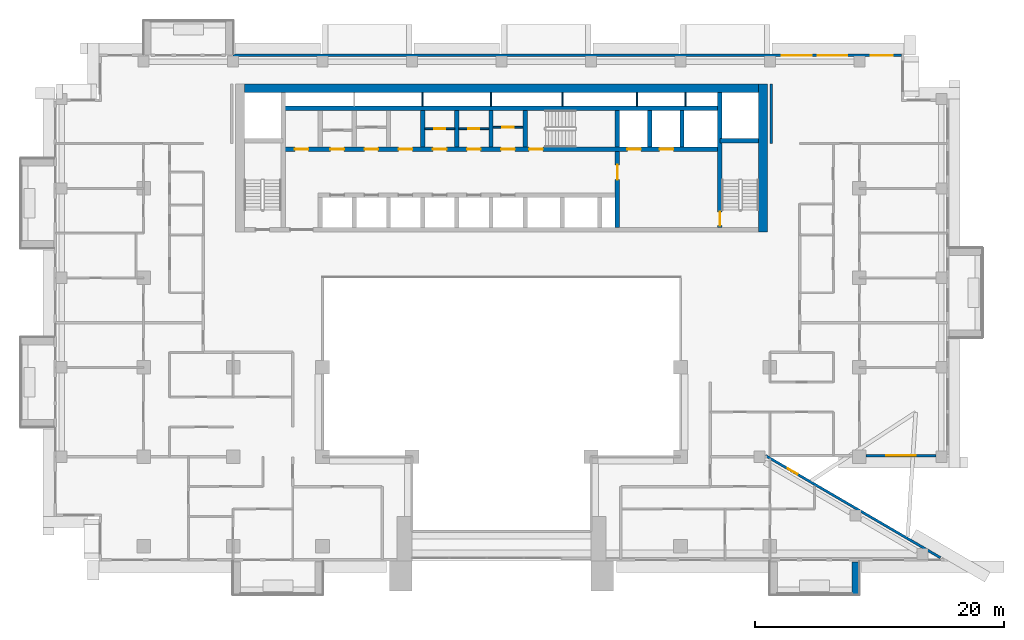
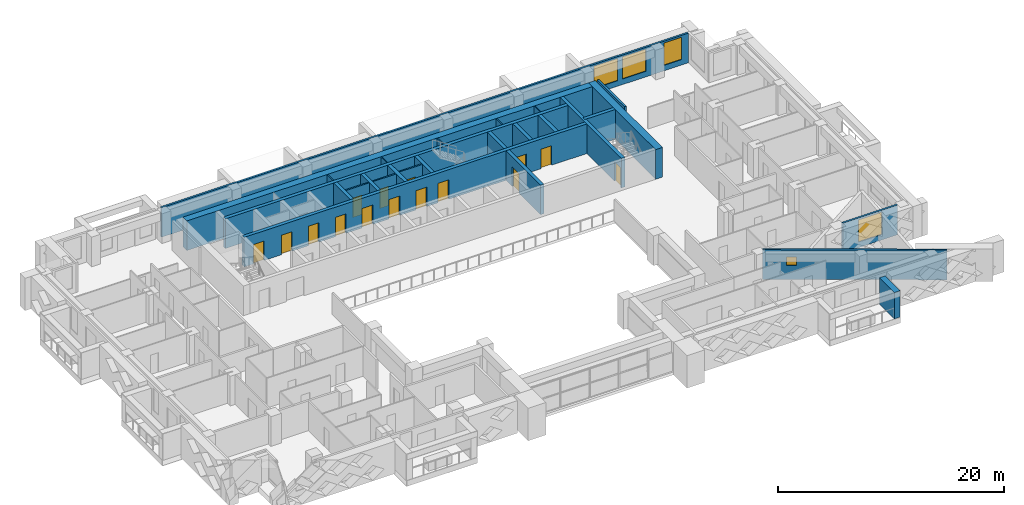
# One storey, part 11 of 20: 27 walls, 15 doors, 5 windows, 20 openings.
"""IFC4 building model written with IfcOpenShell, lengths in metres."""

from ifc_helpers import new_model, si_unit, direction, frame, frame_2d, origin, place, context, subcontext, project, spatial, rectangle, extrude, material, layer, layer_set, type_object, element, fill, save


model = new_model("IFC4")

# Units and contexts
model_context = context("Model", 3, precision=1e-05, world=origin(), true_north=direction((0.0, 1.0)))
body_context = subcontext(model_context, "Body", "Model", "MODEL_VIEW")
ifc_project = project(units=[si_unit("LENGTHUNIT", "METRE"), si_unit("AREAUNIT", "SQUARE_METRE"), si_unit("VOLUMEUNIT", "CUBIC_METRE"), si_unit("PLANEANGLEUNIT", "RADIAN"), si_unit("MASSUNIT", "GRAM", prefix="KILO")], contexts=[model_context])

# Site, building, storey
site_placement = place(None, origin())
site = spatial("IfcSite", under=ifc_project, at=site_placement, CompositionType="ELEMENT")
building_placement = place(site_placement, origin())
building = spatial("IfcBuilding", under=site, at=building_placement, Name="Saffron Iwan Residences", CompositionType="ELEMENT")
storey_placement = place(building_placement, frame((0.0, 0.0, 127.0)))
storey = spatial("IfcBuildingStorey", under=building, at=storey_placement, Name="L33", CompositionType="ELEMENT", Elevation=127.0)

# Wall
ifc_material_1 = material(Name="Concrete C50/60 white painted", Category="concrete")
ifc_layer_1 = layer(ifc_material_1, 0.60009765625)
ifc_layer_set_1 = layer_set([ifc_layer_1], Name="Concrete C50/60 white painted")
wall_type_1 = type_object("IfcWallType", Name="BALCONY FIN 600", PredefinedType="SOLIDWALL", material=ifc_layer_set_1)
wall_1_placement = place(storey_placement, frame((78.89990234375, 39.550048828125, 0.0), z_axis=(0.0, 0.0, 1.0), x_axis=(0.0, -1.0, 0.0)))
element("IfcWall", 1, at=wall_1_placement, inside=storey, type_object=wall_type_1, Name="Balcony fin L33 11-1b", PredefinedType="SOLIDWALL", context=body_context, shape_type="SweptSolid", body=[
    extrude(rectangle(XDim=2.650146484375, YDim=0.60009765625, at=frame_2d((1.3251953125, 0.0))), origin(), (0.0, 0.0, 1.0), 2.85009765625),
])

# Wall, opening, door
ifc_material_2 = material(Name="Fire-rated plasterboard partition")
ifc_layer_2 = layer(ifc_material_2, 0.14990234375)
ifc_layer_set_2 = layer_set([ifc_layer_2], Name="Fire-rated plasterboard partition")
wall_type_2 = type_object("IfcWallType", Name="Core partition 150", PredefinedType="PARTITIONING", material=ifc_layer_set_2)
wall_2_placement = place(storey_placement, frame((44.22509765625, 74.39990234375, 0.0), z_axis=(0.0, 0.0, 1.0), x_axis=(1.0, 0.0, 0.0)))
wall_2 = element("IfcWall", 2, at=wall_2_placement, inside=storey, type_object=wall_type_2, Name="Core partition P03", PredefinedType="PARTITIONING", context=body_context, shape_type="SweptSolid", body=[
    extrude(rectangle(XDim=2.39990234375, YDim=0.14990234375, at=frame_2d((1.199951171875, 0.0))), origin(), (0.0, 0.0, 1.0), 3.199951171875),
])
opening_1_placement = place(wall_2_placement, frame((0.75, 0.0, 0.0)))
opening_1 = element("IfcOpeningElement", 3, at=opening_1_placement, cuts=wall_2, Name="Opening SB", PredefinedType="OPENING", context=body_context, shape_type="SweptSolid", body=[
    extrude(rectangle(XDim=0.89990234375, YDim=2.10009765625, at=frame_2d((0.449951171875, 1.050048828125))), frame((0.0, 0.0849609375, 0.0), z_axis=(0.0, -1.0, 0.0), x_axis=(1.0, 0.0, 0.0)), (0.0, 0.0, 1.0), 0.169921875),
])
ifc_material_3 = material(Name="Steel fire door", Category="steel")
door_type_1 = type_object("IfcDoorType", Name="Store door 900", OperationType="NOTDEFINED", PredefinedType="DOOR", material=ifc_material_3)
door_1_placement = place(opening_1_placement, origin())
door_1 = element("IfcDoor", 4, at=door_1_placement, inside=storey, type_object=door_type_1, Name="Door Equipment store", OperationType="SINGLE_SWING_RIGHT", OverallHeight=2.10009765625, OverallWidth=0.89990234375, PredefinedType="DOOR", context=body_context, shape_type="SweptSolid", body=[
    extrude(rectangle(XDim=0.89990234375, YDim=2.10009765625, at=frame_2d((0.449951171875, 1.050048828125))), frame((0.0, 0.02490234375, 0.0), z_axis=(0.0, -1.0, 0.0), x_axis=(1.0, 0.0, 0.0)), (0.0, 0.0, 1.0), 0.050048828125),
])
fill(opening_1, door_1)

wall_3_placement = place(storey_placement, frame((46.97509765625, 74.39990234375, 0.0), z_axis=(0.0, 0.0, 1.0), x_axis=(1.0, 0.0, 0.0)))
wall_3 = element("IfcWall", 5, at=wall_3_placement, inside=storey, type_object=wall_type_2, Name="Core partition P04", PredefinedType="PARTITIONING", context=body_context, shape_type="SweptSolid", body=[
    extrude(rectangle(XDim=2.39990234375, YDim=0.14990234375, at=frame_2d((1.199951171875, 0.0))), origin(), (0.0, 0.0, 1.0), 3.199951171875),
])
opening_2_placement = place(wall_3_placement, frame((0.75, 0.0, 0.0)))
opening_2 = element("IfcOpeningElement", 6, at=opening_2_placement, cuts=wall_3, Name="Opening SB", PredefinedType="OPENING", context=body_context, shape_type="SweptSolid", body=[
    extrude(rectangle(XDim=0.89990234375, YDim=2.10009765625, at=frame_2d((0.449951171875, 1.050048828125))), frame((0.0, 0.0849609375, 0.0), z_axis=(0.0, -1.0, 0.0), x_axis=(1.0, 0.0, 0.0)), (0.0, 0.0, 1.0), 0.169921875),
])
door_2_placement = place(opening_2_placement, origin())
door_2 = element("IfcDoor", 7, at=door_2_placement, inside=storey, type_object=door_type_1, Name="Door Mop store", OperationType="SINGLE_SWING_LEFT", OverallHeight=2.10009765625, OverallWidth=0.89990234375, PredefinedType="DOOR", context=body_context, shape_type="SweptSolid", body=[
    extrude(rectangle(XDim=0.89990234375, YDim=2.10009765625, at=frame_2d((0.449951171875, 1.050048828125))), frame((0.0, 0.02490234375, 0.0), z_axis=(0.0, -1.0, 0.0), x_axis=(1.0, 0.0, 0.0)), (0.0, 0.0, 1.0), 0.050048828125),
])
fill(opening_2, door_2)

wall_4_placement = place(storey_placement, frame((49.72509765625, 74.51806640625, 0.0), z_axis=(0.0, 0.0, 1.0), x_axis=(1.0, 0.0, 0.0)))
wall_4 = element("IfcWall", 8, at=wall_4_placement, inside=storey, type_object=wall_type_2, Name="Core partition P05", PredefinedType="PARTITIONING", context=body_context, shape_type="SweptSolid", body=[
    extrude(rectangle(XDim=2.39990234375, YDim=0.14990234375, at=frame_2d((1.199951171875, 0.0))), origin(), (0.0, 0.0, 1.0), 3.199951171875),
])
opening_3_placement = place(wall_4_placement, frame((0.75, 0.0, 0.0)))
opening_3 = element("IfcOpeningElement", 9, at=opening_3_placement, cuts=wall_4, Name="Opening SB", PredefinedType="OPENING", context=body_context, shape_type="SweptSolid", body=[
    extrude(rectangle(XDim=0.89990234375, YDim=2.10009765625, at=frame_2d((0.449951171875, 1.050048828125))), frame((0.0, 0.0849609375, 0.0), z_axis=(0.0, -1.0, 0.0), x_axis=(1.0, 0.0, 0.0)), (0.0, 0.0, 1.0), 0.169921875),
])
door_3_placement = place(opening_3_placement, origin())
door_3 = element("IfcDoor", 10, at=door_3_placement, inside=storey, type_object=door_type_1, Name="Door Spares store", OperationType="SINGLE_SWING_LEFT", OverallHeight=2.10009765625, OverallWidth=0.89990234375, PredefinedType="DOOR", context=body_context, shape_type="SweptSolid", body=[
    extrude(rectangle(XDim=0.89990234375, YDim=2.10009765625, at=frame_2d((0.449951171875, 1.050048828125))), frame((0.0, 0.02490234375, 0.0), z_axis=(0.0, -1.0, 0.0), x_axis=(1.0, 0.0, 0.0)), (0.0, 0.0, 1.0), 0.050048828125),
])
fill(opening_3, door_3)

# Wall, opening, window
ifc_material_4 = material(Name="Concrete C40/50", Category="concrete")
ifc_layer_3 = layer(ifc_material_4, 0.199951171875)
ifc_layer_set_3 = layer_set([ifc_layer_3], Name="Concrete C40/50")
wall_type_3 = type_object("IfcWallType", Name="EXTERNAL WALL 200", PredefinedType="SOLIDWALL", material=ifc_layer_set_3)
wall_5_placement = place(storey_placement, frame((85.71923828125, 39.88134765625, 0.0), z_axis=(0.0, 0.0, 1.0), x_axis=(-0.86377618652, 0.503875678716, 0.0)))
wall_5 = element("IfcWall", 11, at=wall_5_placement, inside=storey, type_object=wall_type_3, Name="External wall L33 F0.0", PredefinedType="SOLIDWALL", context=body_context, shape_type="SweptSolid", body=[
    extrude(rectangle(XDim=16.31103515625, YDim=0.199951171875, at=frame_2d((8.155517578125, 0.0))), origin(), (0.0, 0.0, 1.0), 3.199951171875),
])
opening_4_placement = place(wall_5_placement, frame((13.32568359375, 0.0, 1.5)))
opening_4 = element("IfcOpeningElement", 12, at=opening_4_placement, cuts=wall_5, Name="Opening W6", PredefinedType="OPENING", context=body_context, shape_type="SweptSolid", body=[
    extrude(rectangle(XDim=0.89990234375, YDim=0.89990234375, at=frame_2d((0.449951171875, 0.449951171875))), frame((0.0, 0.10986328125, 0.0), z_axis=(0.0, -1.0, 0.0), x_axis=(1.0, 0.0, 0.0)), (0.0, 0.0, 1.0), 0.219970703125),
])
ifc_material_5 = material(Name="Clear glass, laminated double glazed", Category="glass")
window_type_1 = type_object("IfcWindowType", Name="WINDOW 900 x 900 BATH", PartitioningType="SINGLE_PANEL", PredefinedType="WINDOW", material=ifc_material_5)
window_1_placement = place(opening_4_placement, origin())
window_1 = element("IfcWindow", 13, at=window_1_placement, inside=storey, type_object=window_type_1, Name="Window L33 F0.0", OverallHeight=0.89990234375, OverallWidth=0.89990234375, PartitioningType="SINGLE_PANEL", PredefinedType="WINDOW", context=body_context, shape_type="SweptSolid", body=[
    extrude(rectangle(XDim=0.89990234375, YDim=0.89990234375, at=frame_2d((0.449951171875, 0.449951171875))), frame((0.0, 0.030029296875, 0.0), z_axis=(0.0, -1.0, 0.0), x_axis=(1.0, 0.0, 0.0)), (0.0, 0.0, 1.0), 0.06005859375),
])
fill(opening_4, window_1)

wall_6_placement = place(storey_placement, frame((79.75, 48.10009765625, 0.0), z_axis=(0.0, 0.0, 1.0), x_axis=(1.0, 0.0, 0.0)))
wall_6 = element("IfcWall", 14, at=wall_6_placement, inside=storey, type_object=wall_type_3, Name="External wall L33 F1.1", PredefinedType="SOLIDWALL", context=body_context, shape_type="SweptSolid", body=[
    extrude(rectangle(XDim=5.60009765625, YDim=0.199951171875, at=frame_2d((2.800048828125, 0.0))), origin(), (0.0, 0.0, 1.0), 3.199951171875),
])
opening_5_placement = place(wall_6_placement, frame((1.60009765625, 0.0, 0.60009765625)))
opening_5 = element("IfcOpeningElement", 15, at=opening_5_placement, cuts=wall_6, Name="Opening W1", PredefinedType="OPENING", context=body_context, shape_type="SweptSolid", body=[
    extrude(rectangle(XDim=2.39990234375, YDim=2.39990234375, at=frame_2d((1.199951171875, 1.199951171875))), frame((0.0, 0.10986328125, 0.0), z_axis=(0.0, -1.0, 0.0), x_axis=(1.0, 0.0, 0.0)), (0.0, 0.0, 1.0), 0.219970703125),
])
window_type_2 = type_object("IfcWindowType", Name="WINDOW 2400 x 2400", PartitioningType="DOUBLE_PANEL_VERTICAL", PredefinedType="WINDOW", material=ifc_material_5)
window_2_placement = place(opening_5_placement, origin())
window_2 = element("IfcWindow", 16, at=window_2_placement, inside=storey, type_object=window_type_2, Name="Window L33 F1.0", OverallHeight=2.39990234375, OverallWidth=2.39990234375, PartitioningType="DOUBLE_PANEL_VERTICAL", PredefinedType="WINDOW", context=body_context, shape_type="SweptSolid", body=[
    extrude(rectangle(XDim=2.39990234375, YDim=2.39990234375, at=frame_2d((1.199951171875, 1.199951171875))), frame((0.0, 0.030029296875, 0.0), z_axis=(0.0, -1.0, 0.0), x_axis=(1.0, 0.0, 0.0)), (0.0, 0.0, 1.0), 0.06005859375),
])
fill(opening_5, window_2)

# Wall, openings, windows
wall_7_placement = place(storey_placement, frame((82.60009765625, 80.300048828125, 0.0), z_axis=(0.0, 0.0, 1.0), x_axis=(-1.0, 0.0, 0.0)))
wall_7 = element("IfcWall", 17, at=wall_7_placement, inside=storey, type_object=wall_type_3, Name="External wall L33 F5.0", PredefinedType="SOLIDWALL", context=body_context, shape_type="SweptSolid", body=[
    extrude(rectangle(XDim=53.800048828125, YDim=0.199951171875, at=frame_2d((26.89990234375, 0.0))), origin(), (0.0, 0.0, 1.0), 3.199951171875),
])
opening_6_placement = place(wall_7_placement, frame((0.699951171875, 0.0, 0.60009765625)))
opening_6 = element("IfcOpeningElement", 18, at=opening_6_placement, cuts=wall_7, Name="Opening W8", PredefinedType="OPENING", context=body_context, shape_type="SweptSolid", body=[
    extrude(rectangle(XDim=1.800048828125, YDim=2.39990234375, at=frame_2d((0.89990234375, 1.199951171875))), frame((0.0, 0.10986328125, 0.0), z_axis=(0.0, -1.0, 0.0), x_axis=(1.0, 0.0, 0.0)), (0.0, 0.0, 1.0), 0.219970703125),
])
opening_7_placement = place(wall_7_placement, frame((4.36669921875, 0.0, 0.60009765625)))
opening_7 = element("IfcOpeningElement", 19, at=opening_7_placement, cuts=wall_7, Name="Opening W1", PredefinedType="OPENING", context=body_context, shape_type="SweptSolid", body=[
    extrude(rectangle(XDim=2.39990234375, YDim=2.39990234375, at=frame_2d((1.199951171875, 1.199951171875))), frame((0.0, 0.10986328125, 0.0), z_axis=(0.0, -1.0, 0.0), x_axis=(1.0, 0.0, 0.0)), (0.0, 0.0, 1.0), 0.219970703125),
])
opening_8_placement = place(wall_7_placement, frame((7.2333984375, 0.0, 0.60009765625)))
opening_8 = element("IfcOpeningElement", 20, at=opening_8_placement, cuts=wall_7, Name="Opening W1", PredefinedType="OPENING", context=body_context, shape_type="SweptSolid", body=[
    extrude(rectangle(XDim=2.39990234375, YDim=2.39990234375, at=frame_2d((1.199951171875, 1.199951171875))), frame((0.0, 0.10986328125, 0.0), z_axis=(0.0, -1.0, 0.0), x_axis=(1.0, 0.0, 0.0)), (0.0, 0.0, 1.0), 0.219970703125),
])
window_type_3 = type_object("IfcWindowType", Name="WINDOW 1800 x 2400", PartitioningType="DOUBLE_PANEL_VERTICAL", PredefinedType="WINDOW", material=ifc_material_5)
window_3_placement = place(opening_6_placement, origin())
window_3 = element("IfcWindow", 21, at=window_3_placement, inside=storey, type_object=window_type_3, Name="Window L33 F5.0", OverallHeight=2.39990234375, OverallWidth=1.800048828125, PartitioningType="DOUBLE_PANEL_VERTICAL", PredefinedType="WINDOW", context=body_context, shape_type="SweptSolid", body=[
    extrude(rectangle(XDim=1.800048828125, YDim=2.39990234375, at=frame_2d((0.89990234375, 1.199951171875))), frame((0.0, 0.030029296875, 0.0), z_axis=(0.0, -1.0, 0.0), x_axis=(1.0, 0.0, 0.0)), (0.0, 0.0, 1.0), 0.06005859375),
])
fill(opening_6, window_3)
window_4_placement = place(opening_7_placement, origin())
window_4 = element("IfcWindow", 22, at=window_4_placement, inside=storey, type_object=window_type_2, Name="Window L33 F5.1", OverallHeight=2.39990234375, OverallWidth=2.39990234375, PartitioningType="DOUBLE_PANEL_VERTICAL", PredefinedType="WINDOW", context=body_context, shape_type="SweptSolid", body=[
    extrude(rectangle(XDim=2.39990234375, YDim=2.39990234375, at=frame_2d((1.199951171875, 1.199951171875))), frame((0.0, 0.030029296875, 0.0), z_axis=(0.0, -1.0, 0.0), x_axis=(1.0, 0.0, 0.0)), (0.0, 0.0, 1.0), 0.06005859375),
])
fill(opening_7, window_4)
window_5_placement = place(opening_8_placement, origin())
window_5 = element("IfcWindow", 23, at=window_5_placement, inside=storey, type_object=window_type_2, Name="Window L33 F5.2", OverallHeight=2.39990234375, OverallWidth=2.39990234375, PartitioningType="DOUBLE_PANEL_VERTICAL", PredefinedType="WINDOW", context=body_context, shape_type="SweptSolid", body=[
    extrude(rectangle(XDim=2.39990234375, YDim=2.39990234375, at=frame_2d((1.199951171875, 1.199951171875))), frame((0.0, 0.030029296875, 0.0), z_axis=(0.0, -1.0, 0.0), x_axis=(1.0, 0.0, 0.0)), (0.0, 0.0, 1.0), 0.06005859375),
])
fill(opening_8, window_5)

# Walls
ifc_material_6 = material(Name="Fire-rated gypsum board wall")
ifc_layer_4 = layer(ifc_material_6, 0.199951171875)
ifc_layer_set_4 = layer_set([ifc_layer_4], Name="Fire-rated gypsum board wall")
wall_type_4 = type_object("IfcWallType", Name="Gallery wall 200", PredefinedType="SOLIDWALL", material=ifc_layer_set_4)
wall_8_placement = place(storey_placement, frame((72.10009765625, 73.199951171875, 0.0), z_axis=(0.0, 0.0, 1.0), x_axis=(0.0, 1.0, 0.0)))
element("IfcWall", 24, at=wall_8_placement, inside=storey, type_object=wall_type_4, Name="W-L33-CORR-v72-73.2", PredefinedType="SOLIDWALL", context=body_context, shape_type="SweptSolid", body=[
    extrude(rectangle(XDim=4.800048828125, YDim=0.199951171875, at=frame_2d((2.39990234375, 0.0))), origin(), (0.0, 0.0, 1.0), 3.199951171875),
])
ifc_layer_5 = layer(ifc_material_2, 0.10009765625)
ifc_layer_set_5 = layer_set([ifc_layer_5], Name="Fire-rated plasterboard partition")
wall_type_5 = type_object("IfcWallType", Name="Riser partition 100", PredefinedType="PARTITIONING", material=ifc_layer_set_5)
for number, where, z_axis, x_axis, name in (
    (25, (44.050048828125, 76.22509765625, 0.0), (0.0, 0.0, 1.0), (0.0, 1.0, 0.0), "Core partition P07"),
    (26, (49.550048828125, 76.22509765625, 0.0), (0.0, 0.0, 1.0), (0.0, 1.0, 0.0), "Core partition P08"),
    (27, (55.300048828125, 76.22509765625, 0.0), (0.0, 0.0, 1.0), (0.0, 1.0, 0.0), "Core partition P09"),
    (28, (61.300048828125, 76.22509765625, 0.0), (0.0, 0.0, 1.0), (0.0, 1.0, 0.0), "Core partition P10"),
    (29, (65.199951171875, 76.22509765625, 0.0), (0.0, 0.0, 1.0), (0.0, 1.0, 0.0), "Core partition P11"),
):
    element("IfcWall", number, at=place(storey_placement, frame(where, z_axis=z_axis, x_axis=x_axis)), inside=storey, type_object=wall_type_5, Name=name, PredefinedType="PARTITIONING", context=body_context, shape_type="SweptSolid", body=[
        extrude(rectangle(XDim=1.074951171875, YDim=0.10009765625, at=frame_2d((0.53759765625, 0.0))), origin(), (0.0, 0.0, 1.0), 3.199951171875),
    ])

# Wall, openings, doors
ifc_material_7 = material(Name="Concrete C50/60", Category="concrete")
ifc_layer_6 = layer(ifc_material_7, 0.35009765625)
ifc_layer_set_6 = layer_set([ifc_layer_6], Name="Concrete C50/60")
wall_type_6 = type_object("IfcWallType", Name="WALL CORE 350 C50/60 3200 HIGH", PredefinedType="SHEAR", material=ifc_layer_set_6)
wall_9_placement = place(storey_placement, frame((32.824951171875, 72.75, 0.0), z_axis=(0.0, 0.0, 1.0), x_axis=(1.0, 0.0, 0.0)))
wall_9 = element("IfcWall", 30, at=wall_9_placement, inside=storey, type_object=wall_type_6, Name="Core wall", PredefinedType="SHEAR", context=body_context, shape_type="SweptSolid", body=[
    extrude(rectangle(XDim=35.150146484375, YDim=0.35009765625, at=frame_2d((17.5751953125, 0.0))), origin(), (0.0, 0.0, 1.0), 3.199951171875),
])
opening_9_placement = place(wall_9_placement, frame((19.800048828125, 0.0, 0.0)))
opening_9 = element("IfcOpeningElement", 31, at=opening_9_placement, cuts=wall_9, Name="Opening SD", PredefinedType="OPENING", context=body_context, shape_type="SweptSolid", body=[
    extrude(rectangle(XDim=1.10009765625, YDim=2.10009765625, at=frame_2d((0.550048828125, 1.050048828125))), frame((0.0, 0.18505859375, 0.0), z_axis=(0.0, -1.0, 0.0), x_axis=(1.0, 0.0, 0.0)), (0.0, 0.0, 1.0), 0.3701171875),
])
opening_10_placement = place(wall_9_placement, frame((27.699951171875, 0.0, 0.0)))
opening_10 = element("IfcOpeningElement", 32, at=opening_10_placement, cuts=wall_9, Name="Opening LD", PredefinedType="OPENING", context=body_context, shape_type="SweptSolid", body=[
    extrude(rectangle(XDim=1.10009765625, YDim=2.10009765625, at=frame_2d((0.550048828125, 1.050048828125))), frame((0.0, 0.18505859375, 0.0), z_axis=(0.0, -1.0, 0.0), x_axis=(1.0, 0.0, 0.0)), (0.0, 0.0, 1.0), 0.3701171875),
])
opening_11_placement = place(wall_9_placement, frame((30.300048828125, 0.0, 0.0)))
opening_11 = element("IfcOpeningElement", 33, at=opening_11_placement, cuts=wall_9, Name="Opening LD", PredefinedType="OPENING", context=body_context, shape_type="SweptSolid", body=[
    extrude(rectangle(XDim=1.10009765625, YDim=2.10009765625, at=frame_2d((0.550048828125, 1.050048828125))), frame((0.0, 0.18505859375, 0.0), z_axis=(0.0, -1.0, 0.0), x_axis=(1.0, 0.0, 0.0)), (0.0, 0.0, 1.0), 0.3701171875),
])
opening_12_placement = place(wall_9_placement, frame((3.800048828125, 0.0, 0.0)))
opening_12 = element("IfcOpeningElement", 34, at=opening_12_placement, cuts=wall_9, Name="Opening SR", PredefinedType="OPENING", context=body_context, shape_type="SweptSolid", body=[
    extrude(rectangle(XDim=1.10009765625, YDim=2.10009765625, at=frame_2d((0.550048828125, 1.050048828125))), frame((0.0, 0.18505859375, 0.0), z_axis=(0.0, -1.0, 0.0), x_axis=(1.0, 0.0, 0.0)), (0.0, 0.0, 1.0), 0.3701171875),
])
opening_13_placement = place(wall_9_placement, frame((6.550048828125, 0.0, 0.0)))
opening_13 = element("IfcOpeningElement", 35, at=opening_13_placement, cuts=wall_9, Name="Opening SR", PredefinedType="OPENING", context=body_context, shape_type="SweptSolid", body=[
    extrude(rectangle(XDim=1.10009765625, YDim=2.10009765625, at=frame_2d((0.550048828125, 1.050048828125))), frame((0.0, 0.18505859375, 0.0), z_axis=(0.0, -1.0, 0.0), x_axis=(1.0, 0.0, 0.0)), (0.0, 0.0, 1.0), 0.3701171875),
])
opening_14_placement = place(wall_9_placement, frame((9.300048828125, 0.0, 0.0)))
opening_14 = element("IfcOpeningElement", 36, at=opening_14_placement, cuts=wall_9, Name="Opening SR", PredefinedType="OPENING", context=body_context, shape_type="SweptSolid", body=[
    extrude(rectangle(XDim=1.10009765625, YDim=2.10009765625, at=frame_2d((0.550048828125, 1.050048828125))), frame((0.0, 0.18505859375, 0.0), z_axis=(0.0, -1.0, 0.0), x_axis=(1.0, 0.0, 0.0)), (0.0, 0.0, 1.0), 0.3701171875),
])
opening_15_placement = place(wall_9_placement, frame((12.050048828125, 0.0, 0.0)))
opening_15 = element("IfcOpeningElement", 37, at=opening_15_placement, cuts=wall_9, Name="Opening SR", PredefinedType="OPENING", context=body_context, shape_type="SweptSolid", body=[
    extrude(rectangle(XDim=1.10009765625, YDim=2.10009765625, at=frame_2d((0.550048828125, 1.050048828125))), frame((0.0, 0.18505859375, 0.0), z_axis=(0.0, -1.0, 0.0), x_axis=(1.0, 0.0, 0.0)), (0.0, 0.0, 1.0), 0.3701171875),
])
opening_16_placement = place(wall_9_placement, frame((14.800048828125, 0.0, 0.0)))
opening_16 = element("IfcOpeningElement", 38, at=opening_16_placement, cuts=wall_9, Name="Opening SR", PredefinedType="OPENING", context=body_context, shape_type="SweptSolid", body=[
    extrude(rectangle(XDim=1.10009765625, YDim=2.10009765625, at=frame_2d((0.550048828125, 1.050048828125))), frame((0.0, 0.18505859375, 0.0), z_axis=(0.0, -1.0, 0.0), x_axis=(1.0, 0.0, 0.0)), (0.0, 0.0, 1.0), 0.3701171875),
])
opening_17_placement = place(wall_9_placement, frame((17.550048828125, 0.0, 0.0)))
opening_17 = element("IfcOpeningElement", 39, at=opening_17_placement, cuts=wall_9, Name="Opening SR", PredefinedType="OPENING", context=body_context, shape_type="SweptSolid", body=[
    extrude(rectangle(XDim=1.10009765625, YDim=2.10009765625, at=frame_2d((0.550048828125, 1.050048828125))), frame((0.0, 0.18505859375, 0.0), z_axis=(0.0, -1.0, 0.0), x_axis=(1.0, 0.0, 0.0)), (0.0, 0.0, 1.0), 0.3701171875),
])
opening_18_placement = place(wall_9_placement, frame((0.9375, 0.0, 0.0)))
opening_18 = element("IfcOpeningElement", 40, at=opening_18_placement, cuts=wall_9, Name="Opening SR", PredefinedType="OPENING", context=body_context, shape_type="SweptSolid", body=[
    extrude(rectangle(XDim=1.10009765625, YDim=2.10009765625, at=frame_2d((0.550048828125, 1.050048828125))), frame((0.0, 0.18505859375, 0.0), z_axis=(0.0, -1.0, 0.0), x_axis=(1.0, 0.0, 0.0)), (0.0, 0.0, 1.0), 0.3701171875),
])
door_type_2 = type_object("IfcDoorType", Name="Lift landing door 1100", OperationType="SLIDING_TO_LEFT", PredefinedType="DOOR", material=ifc_material_3)
door_4_placement = place(opening_10_placement, origin())
door_4 = element("IfcDoor", 41, at=door_4_placement, inside=storey, type_object=door_type_2, Name="Landing doors FF1", OperationType="SLIDING_TO_LEFT", OverallHeight=2.10009765625, OverallWidth=1.10009765625, PredefinedType="DOOR", context=body_context, shape_type="SweptSolid", body=[
    extrude(rectangle(XDim=1.10009765625, YDim=2.10009765625, at=frame_2d((0.550048828125, 1.050048828125))), frame((0.0, 0.02490234375, 0.0), z_axis=(0.0, -1.0, 0.0), x_axis=(1.0, 0.0, 0.0)), (0.0, 0.0, 1.0), 0.050048828125),
])
fill(opening_10, door_4)
door_5_placement = place(opening_11_placement, origin())
door_5 = element("IfcDoor", 42, at=door_5_placement, inside=storey, type_object=door_type_2, Name="Landing doors FF2", OperationType="SLIDING_TO_LEFT", OverallHeight=2.10009765625, OverallWidth=1.10009765625, PredefinedType="DOOR", context=body_context, shape_type="SweptSolid", body=[
    extrude(rectangle(XDim=1.10009765625, YDim=2.10009765625, at=frame_2d((0.550048828125, 1.050048828125))), frame((0.0, 0.02490234375, 0.0), z_axis=(0.0, -1.0, 0.0), x_axis=(1.0, 0.0, 0.0)), (0.0, 0.0, 1.0), 0.050048828125),
])
fill(opening_11, door_5)
door_type_3 = type_object("IfcDoorType", Name="Service door 1100", OperationType="NOTDEFINED", PredefinedType="DOOR", material=ifc_material_3)
door_6_placement = place(opening_12_placement, origin())
door_6 = element("IfcDoor", 43, at=door_6_placement, inside=storey, type_object=door_type_3, Name="Door Switch room", OperationType="SINGLE_SWING_LEFT", OverallHeight=2.10009765625, OverallWidth=1.10009765625, PredefinedType="DOOR", context=body_context, shape_type="SweptSolid", body=[
    extrude(rectangle(XDim=1.10009765625, YDim=2.10009765625, at=frame_2d((0.550048828125, 1.050048828125))), frame((0.0, 0.02490234375, 0.0), z_axis=(0.0, -1.0, 0.0), x_axis=(1.0, 0.0, 0.0)), (0.0, 0.0, 1.0), 0.050048828125),
])
fill(opening_12, door_6)
door_7_placement = place(opening_13_placement, origin())
door_7 = element("IfcDoor", 44, at=door_7_placement, inside=storey, type_object=door_type_3, Name="Door Furniture store", OperationType="SINGLE_SWING_RIGHT", OverallHeight=2.10009765625, OverallWidth=1.10009765625, PredefinedType="DOOR", context=body_context, shape_type="SweptSolid", body=[
    extrude(rectangle(XDim=1.10009765625, YDim=2.10009765625, at=frame_2d((0.550048828125, 1.050048828125))), frame((0.0, 0.02490234375, 0.0), z_axis=(0.0, -1.0, 0.0), x_axis=(1.0, 0.0, 0.0)), (0.0, 0.0, 1.0), 0.050048828125),
])
fill(opening_13, door_7)
door_8_placement = place(opening_14_placement, origin())
door_8 = element("IfcDoor", 45, at=door_8_placement, inside=storey, type_object=door_type_3, Name="Door Housekeeping store", OperationType="SINGLE_SWING_LEFT", OverallHeight=2.10009765625, OverallWidth=1.10009765625, PredefinedType="DOOR", context=body_context, shape_type="SweptSolid", body=[
    extrude(rectangle(XDim=1.10009765625, YDim=2.10009765625, at=frame_2d((0.550048828125, 1.050048828125))), frame((0.0, 0.02490234375, 0.0), z_axis=(0.0, -1.0, 0.0), x_axis=(1.0, 0.0, 0.0)), (0.0, 0.0, 1.0), 0.050048828125),
])
fill(opening_14, door_8)
door_9_placement = place(opening_15_placement, origin())
door_9 = element("IfcDoor", 46, at=door_9_placement, inside=storey, type_object=door_type_3, Name="Door Cleaner's store", OperationType="SINGLE_SWING_RIGHT", OverallHeight=2.10009765625, OverallWidth=1.10009765625, PredefinedType="DOOR", context=body_context, shape_type="SweptSolid", body=[
    extrude(rectangle(XDim=1.10009765625, YDim=2.10009765625, at=frame_2d((0.550048828125, 1.050048828125))), frame((0.0, 0.02490234375, 0.0), z_axis=(0.0, -1.0, 0.0), x_axis=(1.0, 0.0, 0.0)), (0.0, 0.0, 1.0), 0.050048828125),
])
fill(opening_15, door_9)
door_10_placement = place(opening_16_placement, origin())
door_10 = element("IfcDoor", 47, at=door_10_placement, inside=storey, type_object=door_type_3, Name="Door Trolley store", OperationType="SINGLE_SWING_LEFT", OverallHeight=2.10009765625, OverallWidth=1.10009765625, PredefinedType="DOOR", context=body_context, shape_type="SweptSolid", body=[
    extrude(rectangle(XDim=1.10009765625, YDim=2.10009765625, at=frame_2d((0.550048828125, 1.050048828125))), frame((0.0, 0.02490234375, 0.0), z_axis=(0.0, -1.0, 0.0), x_axis=(1.0, 0.0, 0.0)), (0.0, 0.0, 1.0), 0.050048828125),
])
fill(opening_16, door_10)
door_11_placement = place(opening_17_placement, origin())
door_11 = element("IfcDoor", 48, at=door_11_placement, inside=storey, type_object=door_type_3, Name="Door Communications room", OperationType="SINGLE_SWING_RIGHT", OverallHeight=2.10009765625, OverallWidth=1.10009765625, PredefinedType="DOOR", context=body_context, shape_type="SweptSolid", body=[
    extrude(rectangle(XDim=1.10009765625, YDim=2.10009765625, at=frame_2d((0.550048828125, 1.050048828125))), frame((0.0, 0.02490234375, 0.0), z_axis=(0.0, -1.0, 0.0), x_axis=(1.0, 0.0, 0.0)), (0.0, 0.0, 1.0), 0.050048828125),
])
fill(opening_17, door_11)
door_12_placement = place(opening_18_placement, origin())
door_12 = element("IfcDoor", 49, at=door_12_placement, inside=storey, type_object=door_type_3, Name="Door Meter room", OperationType="SINGLE_SWING_LEFT", OverallHeight=2.10009765625, OverallWidth=1.10009765625, PredefinedType="DOOR", context=body_context, shape_type="SweptSolid", body=[
    extrude(rectangle(XDim=1.10009765625, YDim=2.10009765625, at=frame_2d((0.550048828125, 1.050048828125))), frame((0.0, 0.02490234375, 0.0), z_axis=(0.0, -1.0, 0.0), x_axis=(1.0, 0.0, 0.0)), (0.0, 0.0, 1.0), 0.050048828125),
])
fill(opening_18, door_12)
door_type_4 = type_object("IfcDoorType", Name="Stair door 1100", OperationType="NOTDEFINED", PredefinedType="DOOR", material=ifc_material_3)
door_13_placement = place(opening_9_placement, origin())
door_13 = element("IfcDoor", 50, at=door_13_placement, inside=storey, type_object=door_type_4, Name="Stair door ST-C", OperationType="SINGLE_SWING_LEFT", OverallHeight=2.10009765625, OverallWidth=1.10009765625, PredefinedType="DOOR", context=body_context, shape_type="SweptSolid", body=[
    extrude(rectangle(XDim=1.10009765625, YDim=2.10009765625, at=frame_2d((0.550048828125, 1.050048828125))), frame((0.0, 0.02490234375, 0.0), z_axis=(0.0, -1.0, 0.0), x_axis=(1.0, 0.0, 0.0)), (0.0, 0.0, 1.0), 0.050048828125),
])
fill(opening_9, door_13)

# Walls
wall_10_placement = place(storey_placement, frame((32.824951171875, 76.050048828125, 0.0), z_axis=(0.0, 0.0, 1.0), x_axis=(1.0, 0.0, 0.0)))
element("IfcWall", 51, at=wall_10_placement, inside=storey, type_object=wall_type_6, Name="Core wall", PredefinedType="SHEAR", context=body_context, shape_type="SweptSolid", body=[
    extrude(rectangle(XDim=35.150146484375, YDim=0.35009765625, at=frame_2d((17.5751953125, 0.0))), origin(), (0.0, 0.0, 1.0), 3.199951171875),
])
wall_11_placement = place(storey_placement, frame((67.97509765625, 73.425048828125, 0.0), z_axis=(0.0, 0.0, 1.0), x_axis=(1.0, 0.0, 0.0)))
element("IfcWall", 52, at=wall_11_placement, inside=storey, type_object=wall_type_6, Name="Core wall", PredefinedType="SHEAR", context=body_context, shape_type="SweptSolid", body=[
    extrude(rectangle(XDim=3.125, YDim=0.35009765625, at=frame_2d((1.5625, 0.0))), origin(), (0.0, 0.0, 1.0), 3.199951171875),
])

# Wall, opening, door
wall_12_placement = place(storey_placement, frame((67.97509765625, 66.449951171875, 0.0), z_axis=(0.0, 0.0, 1.0), x_axis=(0.0, 1.0, 0.0)))
wall_12 = element("IfcWall", 53, at=wall_12_placement, inside=storey, type_object=wall_type_6, Name="Core wall", PredefinedType="SHEAR", context=body_context, shape_type="SweptSolid", body=[
    extrude(rectangle(XDim=10.85009765625, YDim=0.35009765625, at=frame_2d((5.425048828125, 0.0))), origin(), (0.0, 0.0, 1.0), 3.199951171875),
])
opening_19_placement = place(wall_12_placement, frame((0.14990234375, 0.0, 0.0)))
opening_19 = element("IfcOpeningElement", 54, at=opening_19_placement, cuts=wall_12, Name="Opening SD", PredefinedType="OPENING", context=body_context, shape_type="SweptSolid", body=[
    extrude(rectangle(XDim=1.10009765625, YDim=2.10009765625, at=frame_2d((0.550048828125, 1.050048828125))), frame((0.0, 0.18505859375, 0.0), z_axis=(0.0, -1.0, 0.0), x_axis=(1.0, 0.0, 0.0)), (0.0, 0.0, 1.0), 0.3701171875),
])
door_14_placement = place(opening_19_placement, origin())
door_14 = element("IfcDoor", 55, at=door_14_placement, inside=storey, type_object=door_type_4, Name="Stair door ST-E", OperationType="SINGLE_SWING_LEFT", OverallHeight=2.10009765625, OverallWidth=1.10009765625, PredefinedType="DOOR", context=body_context, shape_type="SweptSolid", body=[
    extrude(rectangle(XDim=1.10009765625, YDim=2.10009765625, at=frame_2d((0.550048828125, 1.050048828125))), frame((0.0, 0.02490234375, 0.0), z_axis=(0.0, -1.0, 0.0), x_axis=(1.0, 0.0, 0.0)), (0.0, 0.0, 1.0), 0.050048828125),
])
fill(opening_19, door_14)

wall_13_placement = place(storey_placement, frame((59.72509765625, 66.449951171875, 0.0), z_axis=(0.0, 0.0, 1.0), x_axis=(0.0, 1.0, 0.0)))
wall_13 = element("IfcWall", 56, at=wall_13_placement, inside=storey, type_object=wall_type_6, Name="Core wall", PredefinedType="SHEAR", context=body_context, shape_type="SweptSolid", body=[
    extrude(rectangle(XDim=6.125, YDim=0.35009765625, at=frame_2d((3.0625, 0.0))), origin(), (0.0, 0.0, 1.0), 3.199951171875),
])
opening_20_placement = place(wall_13_placement, frame((3.85009765625, 0.0, 0.0)))
opening_20 = element("IfcOpeningElement", 57, at=opening_20_placement, cuts=wall_13, Name="Opening FD", PredefinedType="OPENING", context=body_context, shape_type="SweptSolid", body=[
    extrude(rectangle(XDim=1.199951171875, YDim=2.10009765625, at=frame_2d((0.60009765625, 1.050048828125))), frame((0.0, 0.18505859375, 0.0), z_axis=(0.0, -1.0, 0.0), x_axis=(1.0, 0.0, 0.0)), (0.0, 0.0, 1.0), 0.3701171875),
])
door_type_5 = type_object("IfcDoorType", Name="Firefighting lobby door 1200", OperationType="NOTDEFINED", PredefinedType="DOOR", material=ifc_material_3)
door_15_placement = place(opening_20_placement, origin())
door_15 = element("IfcDoor", 58, at=door_15_placement, inside=storey, type_object=door_type_5, Name="Firefighting lobby door", OperationType="SINGLE_SWING_LEFT", OverallHeight=2.10009765625, OverallWidth=1.199951171875, PredefinedType="DOOR", context=body_context, shape_type="SweptSolid", body=[
    extrude(rectangle(XDim=1.199951171875, YDim=2.10009765625, at=frame_2d((0.60009765625, 1.050048828125))), frame((0.0, 0.02490234375, 0.0), z_axis=(0.0, -1.0, 0.0), x_axis=(1.0, 0.0, 0.0)), (0.0, 0.0, 1.0), 0.050048828125),
])
fill(opening_20, door_15)

# Walls
for number, where, z_axis, x_axis, name in (
    (59, (59.72509765625, 72.925048828125, 0.0), (0.0, 0.0, 1.0), (0.0, 1.0, 0.0), "Core wall"),
    (60, (44.050048828125, 72.925048828125, 0.0), (0.0, 0.0, 1.0), (0.0, 1.0, 0.0), "Core wall"),
    (61, (46.800048828125, 72.925048828125, 0.0), (0.0, 0.0, 1.0), (0.0, 1.0, 0.0), "Core wall"),
    (62, (49.550048828125, 72.925048828125, 0.0), (0.0, 0.0, 1.0), (0.0, 1.0, 0.0), "Core wall"),
    (63, (52.300048828125, 72.925048828125, 0.0), (0.0, 0.0, 1.0), (0.0, 1.0, 0.0), "Core wall"),
    (64, (62.324951171875, 72.925048828125, 0.0), (0.0, 0.0, 1.0), (0.0, 1.0, 0.0), "Core wall"),
    (65, (64.925048828125, 72.925048828125, 0.0), (0.0, 0.0, 1.0), (0.0, 1.0, 0.0), "Core wall"),
):
    element("IfcWall", number, at=place(storey_placement, frame(where, z_axis=z_axis, x_axis=x_axis)), inside=storey, type_object=wall_type_6, Name=name, PredefinedType="SHEAR", context=body_context, shape_type="SweptSolid", body=[
        extrude(rectangle(XDim=2.949951171875, YDim=0.35009765625, at=frame_2d((1.47509765625, 0.0))), origin(), (0.0, 0.0, 1.0), 3.199951171875),
    ])
ifc_layer_7 = layer(ifc_material_7, 0.699951171875)
ifc_layer_set_7 = layer_set([ifc_layer_7], Name="Concrete C50/60")
wall_type_7 = type_object("IfcWallType", Name="WALL CORE 700 C50/60 3200 HIGH", PredefinedType="SHEAR", material=ifc_layer_set_7)
wall_14_placement = place(storey_placement, frame((71.449951171875, 66.10009765625, 0.0), z_axis=(0.0, 0.0, 1.0), x_axis=(0.0, 1.0, 0.0)))
element("IfcWall", 66, at=wall_14_placement, inside=storey, type_object=wall_type_7, Name="Core wall", PredefinedType="SHEAR", context=body_context, shape_type="SweptSolid", body=[
    extrude(rectangle(XDim=11.89990234375, YDim=0.699951171875, at=frame_2d((5.949951171875, 0.0))), origin(), (0.0, 0.0, 1.0), 3.199951171875),
])
wall_15_placement = place(storey_placement, frame((29.699951171875, 77.64990234375, 0.0), z_axis=(0.0, 0.0, 1.0), x_axis=(1.0, 0.0, 0.0)))
element("IfcWall", 67, at=wall_15_placement, inside=storey, type_object=wall_type_7, Name="Core wall", PredefinedType="SHEAR", context=body_context, shape_type="SweptSolid", body=[
    extrude(rectangle(XDim=41.400146484375, YDim=0.699951171875, at=frame_2d((20.7001953125, 0.0))), origin(), (0.0, 0.0, 1.0), 3.199951171875),
])

save(model, "model.ifc")
